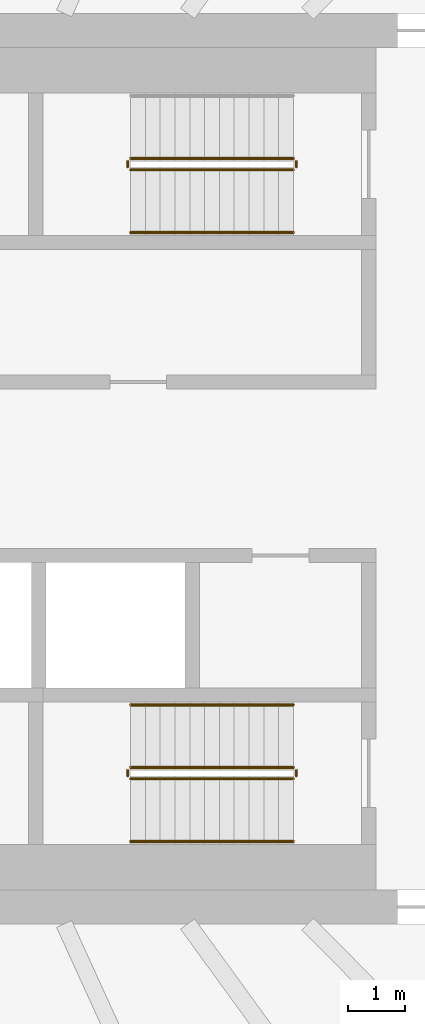
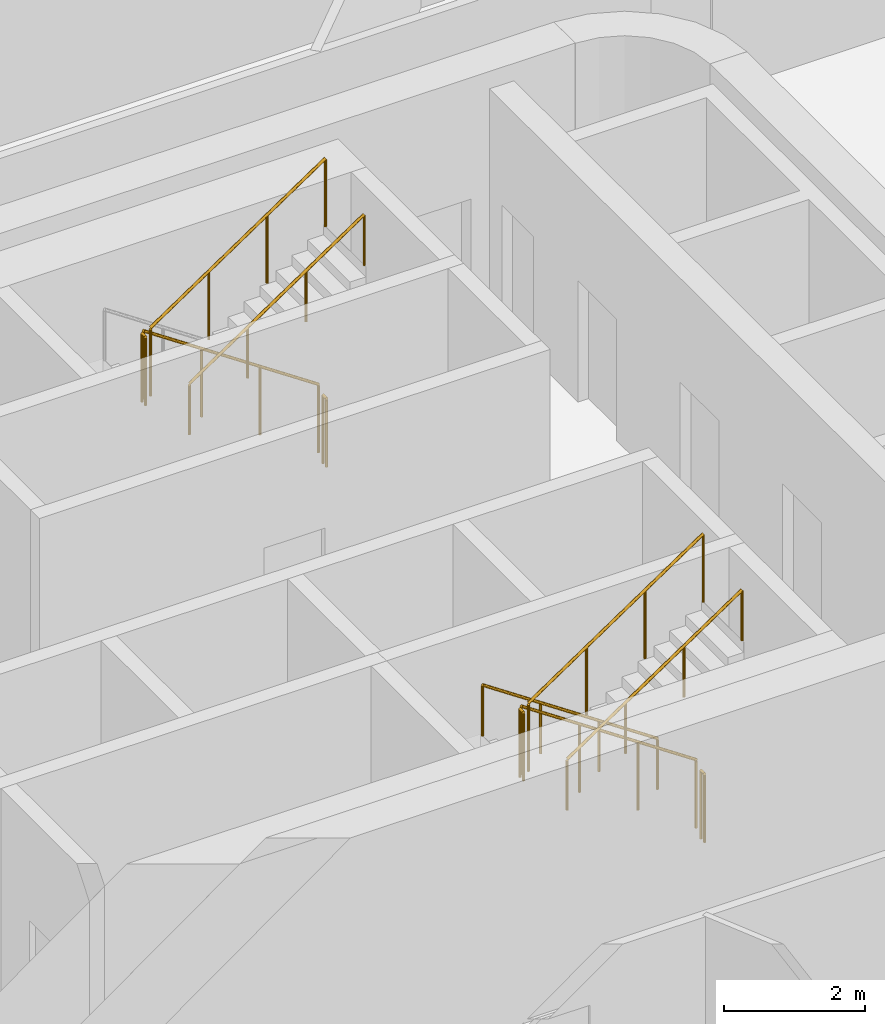
# One storey, part 23 of 25: 11 railings.
"""IFC4 building model written with IfcOpenShell, lengths in metres."""

from ifc_helpers import new_model, si_unit, direction, frame, origin, origin_2d, place, context, subcontext, project, spatial, circle, extrude, material, type_object, element, save


model = new_model("IFC4")

# Units and contexts
model_context = context("Model", 3, precision=1e-05, world=origin(), true_north=direction((0.0, 1.0)))
body_context = subcontext(model_context, "Body", "Model", "MODEL_VIEW")
ifc_project = project(units=[si_unit("LENGTHUNIT", "METRE"), si_unit("AREAUNIT", "SQUARE_METRE"), si_unit("VOLUMEUNIT", "CUBIC_METRE"), si_unit("PLANEANGLEUNIT", "RADIAN"), si_unit("MASSUNIT", "GRAM", prefix="KILO")], contexts=[model_context])

# Site, building, storey
site_placement = place(None, origin())
site = spatial("IfcSite", under=ifc_project, at=site_placement, CompositionType="ELEMENT")
building_placement = place(site_placement, origin())
building = spatial("IfcBuilding", under=site, at=building_placement, Name="Sahrelin Media Tower", CompositionType="ELEMENT")
storey_placement = place(building_placement, frame((0.0, 0.0, 144.0)))
storey = spatial("IfcBuildingStorey", under=building, at=storey_placement, Name="L29", CompositionType="ELEMENT", Elevation=144.0)

# Railings
ifc_material = material(Name="Steel S355", Category="steel")
railing_type_1 = type_object("IfcRailingType", Name="Stair guard 1200", PredefinedType="GUARDRAIL", material=ifc_material)
railing_1_placement = place(storey_placement, frame((7.675048828125, 5.449951171875, 0.175048828125)))
element("IfcRailing", 1, at=railing_1_placement, inside=storey, type_object=railing_type_1, Name="L29 ST3 stair guard 1", PredefinedType="GUARDRAIL", context=body_context, shape_type="SweptSolid", body=[
    extrude(circle(Radius=0.02392578125, at=origin_2d()), frame((0.0, 0.0, 1.17578125), z_axis=(-0.829590901723, 0.0, 0.558371682465), x_axis=(0.0, -1.0, 0.0)), (0.0, 0.0, 1.0), 3.447509765625),
    extrude(circle(Radius=0.02099609375, at=origin_2d()), origin(), (0.0, 0.0, 1.0), 1.15185546875),
    extrude(circle(Radius=0.02099609375, at=origin_2d()), frame((-0.953369140625, 0.0, 0.6416015625)), (0.0, 0.0, 1.0), 1.15185546875),
    extrude(circle(Radius=0.02099609375, at=origin_2d()), frame((-1.90673828125, 0.0, 1.283447265625)), (0.0, 0.0, 1.0), 1.15185546875),
    extrude(circle(Radius=0.02099609375, at=origin_2d()), frame((-2.860107421875, 0.0, 1.925048828125)), (0.0, 0.0, 1.0), 1.15185546875),
])
railing_2_placement = place(storey_placement, frame((4.764892578125, 5.39990234375, 2.10009765625)))
element("IfcRailing", 2, at=railing_2_placement, inside=storey, type_object=railing_type_1, Name="L29 ST3 stair guard 2", PredefinedType="GUARDRAIL", context=body_context, shape_type="SweptSolid", body=[
    extrude(circle(Radius=0.02392578125, at=origin_2d()), frame((0.0, 0.0, 1.17578125), z_axis=(0.0, -1.0, 0.0), x_axis=(1.0, 0.0, 0.0)), (0.0, 0.0, 1.0), 0.099853515625),
    extrude(circle(Radius=0.02099609375, at=origin_2d()), origin(), (0.0, 0.0, 1.0), 1.15185546875),
    extrude(circle(Radius=0.02099609375, at=origin_2d()), frame((0.0, -0.099853515625, 0.0)), (0.0, 0.0, 1.0), 1.15185546875),
])
railing_3_placement = place(storey_placement, frame((4.81494140625, 5.25, 2.27490234375)))
element("IfcRailing", 3, at=railing_3_placement, inside=storey, type_object=railing_type_1, Name="L29 ST3 stair guard 3", PredefinedType="GUARDRAIL", context=body_context, shape_type="SweptSolid", body=[
    extrude(circle(Radius=0.02392578125, at=origin_2d()), frame((0.0, 0.0, 1.17578125), z_axis=(0.829590901723, 0.0, 0.558371682465), x_axis=(0.0, 1.0, 0.0)), (0.0, 0.0, 1.0), 3.447509765625),
    extrude(circle(Radius=0.02099609375, at=origin_2d()), origin(), (0.0, 0.0, 1.0), 1.15185546875),
    extrude(circle(Radius=0.02099609375, at=origin_2d()), frame((0.953369140625, 0.0, 0.6416015625)), (0.0, 0.0, 1.0), 1.15185546875),
    extrude(circle(Radius=0.02099609375, at=origin_2d()), frame((1.90673828125, 0.0, 1.283447265625)), (0.0, 0.0, 1.0), 1.15185546875),
    extrude(circle(Radius=0.02099609375, at=origin_2d()), frame((2.860107421875, 0.0, 1.925048828125)), (0.0, 0.0, 1.0), 1.15185546875),
])
railing_4_placement = place(storey_placement, frame((7.72509765625, 5.39990234375, 0.0)))
element("IfcRailing", 4, at=railing_4_placement, inside=storey, type_object=railing_type_1, Name="L29 ST3 stair guard 4", PredefinedType="GUARDRAIL", context=body_context, shape_type="SweptSolid", body=[
    extrude(circle(Radius=0.02392578125, at=origin_2d()), frame((0.0, 0.0, 1.17578125), z_axis=(0.0, -1.0, 0.0), x_axis=(1.0, 0.0, 0.0)), (0.0, 0.0, 1.0), 0.099853515625),
    extrude(circle(Radius=0.02099609375, at=origin_2d()), origin(), (0.0, 0.0, 1.0), 1.15185546875),
    extrude(circle(Radius=0.02099609375, at=origin_2d()), frame((0.0, -0.099853515625, 0.0)), (0.0, 0.0, 1.0), 1.15185546875),
])
railing_5_placement = place(storey_placement, frame((7.675048828125, -5.25, 0.175048828125)))
element("IfcRailing", 5, at=railing_5_placement, inside=storey, type_object=railing_type_1, Name="L29 ST2 stair guard 1", PredefinedType="GUARDRAIL", context=body_context, shape_type="SweptSolid", body=[
    extrude(circle(Radius=0.02392578125, at=origin_2d()), frame((0.0, 0.0, 1.17578125), z_axis=(-0.829590901723, 0.0, 0.558371682465), x_axis=(0.0, -1.0, 0.0)), (0.0, 0.0, 1.0), 3.447509765625),
    extrude(circle(Radius=0.02099609375, at=origin_2d()), origin(), (0.0, 0.0, 1.0), 1.15185546875),
    extrude(circle(Radius=0.02099609375, at=origin_2d()), frame((-0.953369140625, 0.0, 0.6416015625)), (0.0, 0.0, 1.0), 1.15185546875),
    extrude(circle(Radius=0.02099609375, at=origin_2d()), frame((-1.90673828125, 0.0, 1.283447265625)), (0.0, 0.0, 1.0), 1.15185546875),
    extrude(circle(Radius=0.02099609375, at=origin_2d()), frame((-2.860107421875, 0.0, 1.925048828125)), (0.0, 0.0, 1.0), 1.15185546875),
])
railing_6_placement = place(storey_placement, frame((4.764892578125, -5.300048828125, 2.10009765625)))
element("IfcRailing", 6, at=railing_6_placement, inside=storey, type_object=railing_type_1, Name="L29 ST2 stair guard 2", PredefinedType="GUARDRAIL", context=body_context, shape_type="SweptSolid", body=[
    extrude(circle(Radius=0.02392578125, at=origin_2d()), frame((0.0, 0.0, 1.17578125), z_axis=(0.0, -1.0, 0.0), x_axis=(1.0, 0.0, 0.0)), (0.0, 0.0, 1.0), 0.099853515625),
    extrude(circle(Radius=0.02099609375, at=origin_2d()), origin(), (0.0, 0.0, 1.0), 1.15185546875),
    extrude(circle(Radius=0.02099609375, at=origin_2d()), frame((0.0, -0.099853515625, 0.0)), (0.0, 0.0, 1.0), 1.15185546875),
])
railing_7_placement = place(storey_placement, frame((4.81494140625, -5.449951171875, 2.27490234375)))
element("IfcRailing", 7, at=railing_7_placement, inside=storey, type_object=railing_type_1, Name="L29 ST2 stair guard 3", PredefinedType="GUARDRAIL", context=body_context, shape_type="SweptSolid", body=[
    extrude(circle(Radius=0.02392578125, at=origin_2d()), frame((0.0, 0.0, 1.17578125), z_axis=(0.829590901723, 0.0, 0.558371682465), x_axis=(0.0, 1.0, 0.0)), (0.0, 0.0, 1.0), 3.447509765625),
    extrude(circle(Radius=0.02099609375, at=origin_2d()), origin(), (0.0, 0.0, 1.0), 1.15185546875),
    extrude(circle(Radius=0.02099609375, at=origin_2d()), frame((0.953369140625, 0.0, 0.6416015625)), (0.0, 0.0, 1.0), 1.15185546875),
    extrude(circle(Radius=0.02099609375, at=origin_2d()), frame((1.90673828125, 0.0, 1.283447265625)), (0.0, 0.0, 1.0), 1.15185546875),
    extrude(circle(Radius=0.02099609375, at=origin_2d()), frame((2.860107421875, 0.0, 1.925048828125)), (0.0, 0.0, 1.0), 1.15185546875),
])
railing_8_placement = place(storey_placement, frame((7.72509765625, -5.300048828125, 0.0)))
element("IfcRailing", 8, at=railing_8_placement, inside=storey, type_object=railing_type_1, Name="L29 ST2 stair guard 4", PredefinedType="GUARDRAIL", context=body_context, shape_type="SweptSolid", body=[
    extrude(circle(Radius=0.02392578125, at=origin_2d()), frame((0.0, 0.0, 1.17578125), z_axis=(0.0, -1.0, 0.0), x_axis=(1.0, 0.0, 0.0)), (0.0, 0.0, 1.0), 0.099853515625),
    extrude(circle(Radius=0.02099609375, at=origin_2d()), origin(), (0.0, 0.0, 1.0), 1.15185546875),
    extrude(circle(Radius=0.02099609375, at=origin_2d()), frame((0.0, -0.099853515625, 0.0)), (0.0, 0.0, 1.0), 1.15185546875),
])
railing_type_2 = type_object("IfcRailingType", Name="Stair handrail 900", PredefinedType="HANDRAIL", material=ifc_material)
railing_9_placement = place(storey_placement, frame((4.81494140625, 4.14990234375, 2.27490234375)))
element("IfcRailing", 9, at=railing_9_placement, inside=storey, type_object=railing_type_2, Name="L29 ST3 stair handrail 2", PredefinedType="HANDRAIL", context=body_context, shape_type="SweptSolid", body=[
    extrude(circle(Radius=0.02392578125, at=origin_2d()), frame((0.0, 0.0, 0.8759765625), z_axis=(0.829590901723, 0.0, 0.558371682465), x_axis=(0.0, 1.0, 0.0)), (0.0, 0.0, 1.0), 3.447509765625),
    extrude(circle(Radius=0.02099609375, at=origin_2d()), origin(), (0.0, 0.0, 1.0), 0.851806640625),
    extrude(circle(Radius=0.02099609375, at=origin_2d()), frame((0.953369140625, 0.0, 0.6416015625)), (0.0, 0.0, 1.0), 0.851806640625),
    extrude(circle(Radius=0.02099609375, at=origin_2d()), frame((1.90673828125, 0.0, 1.283447265625)), (0.0, 0.0, 1.0), 0.851806640625),
    extrude(circle(Radius=0.02099609375, at=origin_2d()), frame((2.860107421875, 0.0, 1.925048828125)), (0.0, 0.0, 1.0), 0.851806640625),
])
railing_10_placement = place(storey_placement, frame((7.675048828125, -4.14990234375, 0.175048828125)))
element("IfcRailing", 10, at=railing_10_placement, inside=storey, type_object=railing_type_2, Name="L29 ST2 stair handrail 1", PredefinedType="HANDRAIL", context=body_context, shape_type="SweptSolid", body=[
    extrude(circle(Radius=0.02392578125, at=origin_2d()), frame((0.0, 0.0, 0.8759765625), z_axis=(-0.829590901723, 0.0, 0.558371682465), x_axis=(0.0, -1.0, 0.0)), (0.0, 0.0, 1.0), 3.447509765625),
    extrude(circle(Radius=0.02099609375, at=origin_2d()), origin(), (0.0, 0.0, 1.0), 0.851806640625),
    extrude(circle(Radius=0.02099609375, at=origin_2d()), frame((-0.953369140625, 0.0, 0.6416015625)), (0.0, 0.0, 1.0), 0.851806640625),
    extrude(circle(Radius=0.02099609375, at=origin_2d()), frame((-1.90673828125, 0.0, 1.283447265625)), (0.0, 0.0, 1.0), 0.851806640625),
    extrude(circle(Radius=0.02099609375, at=origin_2d()), frame((-2.860107421875, 0.0, 1.925048828125)), (0.0, 0.0, 1.0), 0.851806640625),
])
railing_11_placement = place(storey_placement, frame((4.81494140625, -6.550048828125, 2.27490234375)))
element("IfcRailing", 11, at=railing_11_placement, inside=storey, type_object=railing_type_2, Name="L29 ST2 stair handrail 2", PredefinedType="HANDRAIL", context=body_context, shape_type="SweptSolid", body=[
    extrude(circle(Radius=0.02392578125, at=origin_2d()), frame((0.0, 0.0, 0.8759765625), z_axis=(0.829590901723, 0.0, 0.558371682465), x_axis=(0.0, 1.0, 0.0)), (0.0, 0.0, 1.0), 3.447509765625),
    extrude(circle(Radius=0.02099609375, at=origin_2d()), origin(), (0.0, 0.0, 1.0), 0.851806640625),
    extrude(circle(Radius=0.02099609375, at=origin_2d()), frame((0.953369140625, 0.0, 0.6416015625)), (0.0, 0.0, 1.0), 0.851806640625),
    extrude(circle(Radius=0.02099609375, at=origin_2d()), frame((1.90673828125, 0.0, 1.283447265625)), (0.0, 0.0, 1.0), 0.851806640625),
    extrude(circle(Radius=0.02099609375, at=origin_2d()), frame((2.860107421875, 0.0, 1.925048828125)), (0.0, 0.0, 1.0), 0.851806640625),
])

save(model, "model.ifc")
